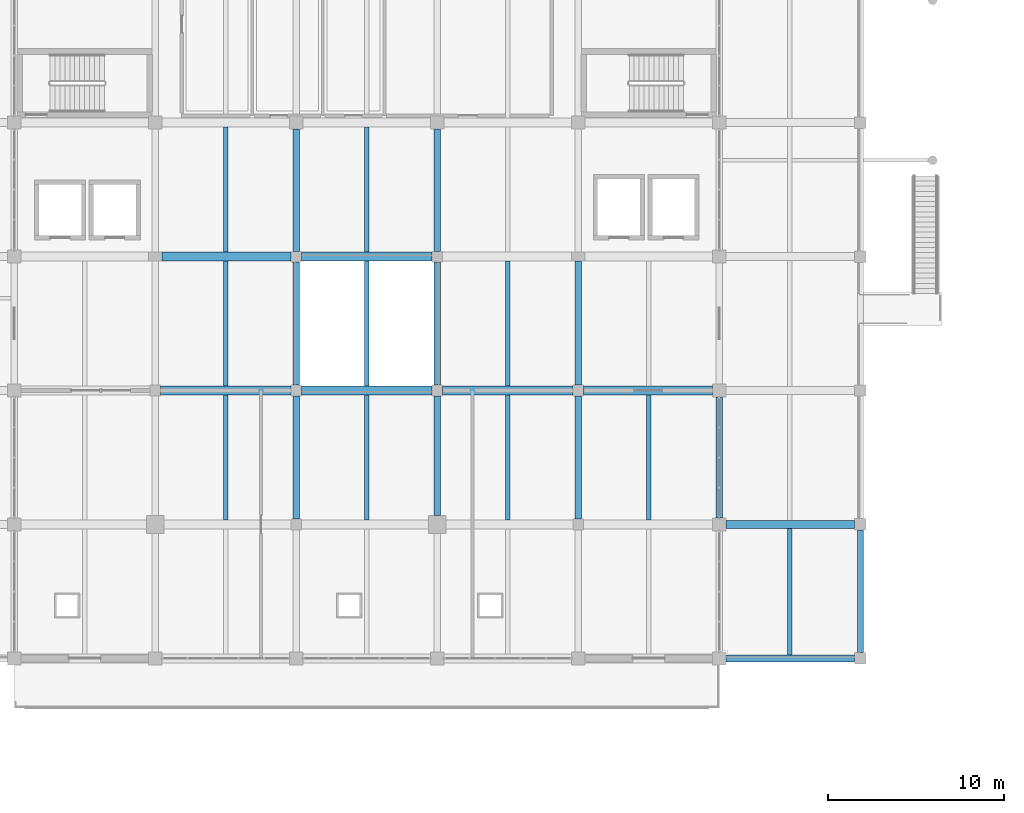
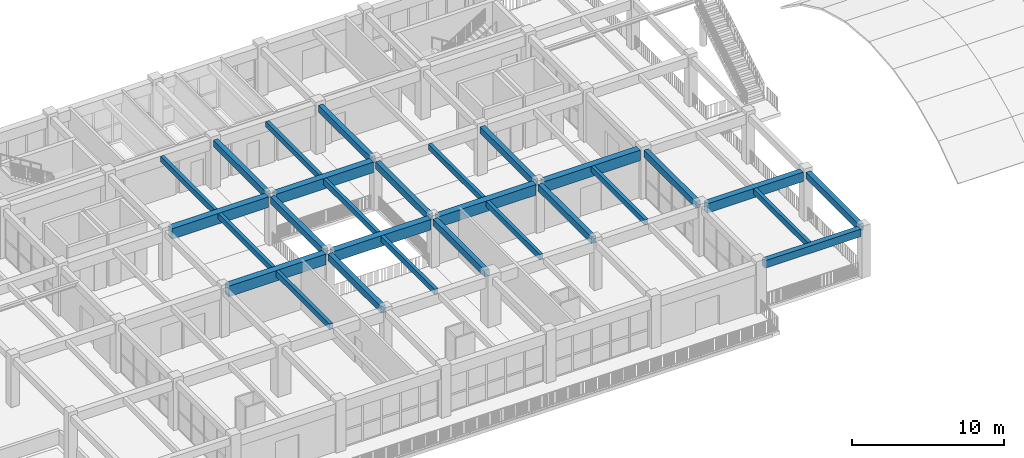
# One storey, part 20 of 63: 28 beams.
"""IFC4 building model written with IfcOpenShell, lengths in metres."""

from ifc_helpers import new_model, si_unit, direction, frame, origin, origin_2d, place, context, subcontext, project, spatial, rectangle, extrude, material, material_profile, profile_set, type_object, element, save


model = new_model("IFC4")

# Units and contexts
model_context = context("Model", 3, precision=1e-05, world=origin(), true_north=direction((0.0, 1.0)))
body_context = subcontext(model_context, "Body", "Model", "MODEL_VIEW")
ifc_project = project(units=[si_unit("LENGTHUNIT", "METRE"), si_unit("AREAUNIT", "SQUARE_METRE"), si_unit("VOLUMEUNIT", "CUBIC_METRE"), si_unit("PLANEANGLEUNIT", "RADIAN"), si_unit("MASSUNIT", "GRAM", prefix="KILO")], contexts=[model_context])

# Site, building, storey
site_placement = place(None, origin())
site = spatial("IfcSite", under=ifc_project, at=site_placement, CompositionType="ELEMENT")
building_placement = place(site_placement, origin())
building = spatial("IfcBuilding", under=site, at=building_placement, Name="Zantavel Square City Hall", CompositionType="ELEMENT")
storey_placement = place(building_placement, frame((0.0, 0.0, 14.699951171875)))
storey = spatial("IfcBuildingStorey", under=building, at=storey_placement, Name="L04", CompositionType="ELEMENT", Elevation=14.699951171875)

# Beams
ifc_material_1 = material(Name="Concrete C40/50", Category="concrete")
ifc_material_profile_1 = material_profile(ifc_material_1, rectangle(XDim=0.5, YDim=0.85009765625, at=origin_2d()), Name="RC 500x850")
ifc_profile_set_1 = profile_set([ifc_material_profile_1], Name="Concrete C40/50")
beam_type_1 = type_object("IfcBeamType", Name="Council Chamber Girder RC 500x850 C40/50", PredefinedType="BEAM", material=ifc_profile_set_1)
beam_1_placement = place(storey_placement, frame((72.300048828125, 45.60009765625, 3.4951171875), z_axis=(1.0, 0.0, 0.0), x_axis=(0.0, 1.0, 0.0)))
element("IfcBeam", 1, at=beam_1_placement, inside=storey, type_object=beam_type_1, Name="L04 Girder BMX-L04-0720-0456", PredefinedType="BEAM", context=body_context, shape_type="SweptSolid", body=[
    extrude(rectangle(XDim=0.5, YDim=0.85009765625, at=origin_2d()), origin(), (0.0, 0.0, 1.0), 7.39990234375),
])
beam_2_placement = place(storey_placement, frame((72.375, 53.199951171875, 3.4951171875), z_axis=(1.0, 0.0, 0.0), x_axis=(0.0, 1.0, 0.0)))
element("IfcBeam", 2, at=beam_2_placement, inside=storey, type_object=beam_type_1, Name="L04 Girder BMX-L04-0720-0532", PredefinedType="BEAM", context=body_context, shape_type="SweptSolid", body=[
    extrude(rectangle(XDim=0.5, YDim=0.85009765625, at=origin_2d()), origin(), (0.0, 0.0, 1.0), 7.324951171875),
])
for number, where, z_axis, x_axis, name in (
    (3, (80.300048828125, 45.60009765625, 3.4951171875), (1.0, 0.0, 0.0), (0.0, 1.0, 0.0), "L04 Girder BMX-L04-0800-0456"),
    (4, (80.300048828125, 53.199951171875, 3.4951171875), (1.0, 0.0, 0.0), (0.0, 1.0, 0.0), "L04 Girder BMX-L04-0800-0532"),
    (5, (88.300048828125, 45.60009765625, 3.4951171875), (1.0, 0.0, 0.0), (0.0, 1.0, 0.0), "L04 Girder BMX-L04-0880-0456"),
):
    element("IfcBeam", number, at=place(storey_placement, frame(where, z_axis=z_axis, x_axis=x_axis)), inside=storey, type_object=beam_type_1, Name=name, PredefinedType="BEAM", context=body_context, shape_type="SweptSolid", body=[
        extrude(rectangle(XDim=0.5, YDim=0.85009765625, at=origin_2d()), origin(), (0.0, 0.0, 1.0), 7.39990234375),
    ])
beam_3_placement = place(storey_placement, frame((96.300048828125, 45.60009765625, 3.4951171875), z_axis=(1.0, 0.0, 0.0), x_axis=(0.0, 1.0, 0.0)))
element("IfcBeam", 6, at=beam_3_placement, inside=storey, type_object=beam_type_1, Name="L04 Girder BMX-L04-0960-0456", PredefinedType="BEAM", context=body_context, shape_type="SweptSolid", body=[
    extrude(rectangle(XDim=0.5, YDim=0.85009765625, at=origin_2d()), origin(), (0.0, 0.0, 1.0), 7.324951171875),
])
ifc_material_2 = material(Name="Concrete C35/45", Category="concrete")
ifc_material_profile_2 = material_profile(ifc_material_2, rectangle(XDim=0.25, YDim=0.449951171875, at=origin_2d()), Name="RC 250x450")
ifc_profile_set_2 = profile_set([ifc_material_profile_2], Name="Concrete C35/45")
beam_type_2 = type_object("IfcBeamType", Name="Light Floor Joist RC 250x450 C35/45", PredefinedType="JOIST", material=ifc_profile_set_2)
beam_4_placement = place(storey_placement, frame((76.0, 38.25, 3.695068359375), z_axis=(0.0, 1.0, 0.0), x_axis=(-1.0, 0.0, 0.0)))
element("IfcBeam", 7, at=beam_4_placement, inside=storey, type_object=beam_type_2, Name="L04 Floor Joist JST-L04-0760-0380", PredefinedType="JOIST", context=body_context, shape_type="SweptSolid", body=[
    extrude(rectangle(XDim=0.25, YDim=0.449951171875, at=origin_2d()), origin(), (0.0, 0.0, 1.0), 7.10009765625),
])
beam_5_placement = place(storey_placement, frame((76.0, 45.85009765625, 3.695068359375), z_axis=(0.0, 1.0, 0.0), x_axis=(-1.0, 0.0, 0.0)))
element("IfcBeam", 8, at=beam_5_placement, inside=storey, type_object=beam_type_2, Name="L04 Floor Joist JST-L04-0760-0456", PredefinedType="JOIST", context=body_context, shape_type="SweptSolid", body=[
    extrude(rectangle(XDim=0.25, YDim=0.449951171875, at=origin_2d()), origin(), (0.0, 0.0, 1.0), 7.099853515625),
])
for number, where, z_axis, x_axis, name in (
    (9, (76.0, 53.449951171875, 3.695068359375), (0.0, 1.0, 0.0), (-1.0, 0.0, 0.0), "L04 Floor Joist JST-L04-0760-0532"),
    (10, (84.0, 38.25, 3.695068359375), (0.0, 1.0, 0.0), (-1.0, 0.0, 0.0), "L04 Floor Joist JST-L04-0840-0380"),
):
    element("IfcBeam", number, at=place(storey_placement, frame(where, z_axis=z_axis, x_axis=x_axis)), inside=storey, type_object=beam_type_2, Name=name, PredefinedType="JOIST", context=body_context, shape_type="SweptSolid", body=[
        extrude(rectangle(XDim=0.25, YDim=0.449951171875, at=origin_2d()), origin(), (0.0, 0.0, 1.0), 7.10009765625),
    ])
beam_6_placement = place(storey_placement, frame((84.0, 45.85009765625, 3.695068359375), z_axis=(0.0, 1.0, 0.0), x_axis=(-1.0, 0.0, 0.0)))
element("IfcBeam", 11, at=beam_6_placement, inside=storey, type_object=beam_type_2, Name="L04 Floor Joist JST-L04-0840-0456", PredefinedType="JOIST", context=body_context, shape_type="SweptSolid", body=[
    extrude(rectangle(XDim=0.25, YDim=0.449951171875, at=origin_2d()), origin(), (0.0, 0.0, 1.0), 7.099853515625),
])
for number, where, z_axis, x_axis, name in (
    (12, (84.0, 53.449951171875, 3.695068359375), (0.0, 1.0, 0.0), (-1.0, 0.0, 0.0), "L04 Floor Joist JST-L04-0840-0532"),
    (13, (92.0, 38.25, 3.695068359375), (0.0, 1.0, 0.0), (-1.0, 0.0, 0.0), "L04 Floor Joist JST-L04-0920-0380"),
):
    element("IfcBeam", number, at=place(storey_placement, frame(where, z_axis=z_axis, x_axis=x_axis)), inside=storey, type_object=beam_type_2, Name=name, PredefinedType="JOIST", context=body_context, shape_type="SweptSolid", body=[
        extrude(rectangle(XDim=0.25, YDim=0.449951171875, at=origin_2d()), origin(), (0.0, 0.0, 1.0), 7.10009765625),
    ])
beam_7_placement = place(storey_placement, frame((92.0, 45.85009765625, 3.695068359375), z_axis=(0.0, 1.0, 0.0), x_axis=(-1.0, 0.0, 0.0)))
element("IfcBeam", 14, at=beam_7_placement, inside=storey, type_object=beam_type_2, Name="L04 Floor Joist JST-L04-0920-0456", PredefinedType="JOIST", context=body_context, shape_type="SweptSolid", body=[
    extrude(rectangle(XDim=0.25, YDim=0.449951171875, at=origin_2d()), origin(), (0.0, 0.0, 1.0), 7.099853515625),
])
beam_8_placement = place(storey_placement, frame((100.0, 38.25, 3.695068359375), z_axis=(0.0, 1.0, 0.0), x_axis=(-1.0, 0.0, 0.0)))
element("IfcBeam", 15, at=beam_8_placement, inside=storey, type_object=beam_type_2, Name="L04 Floor Joist JST-L04-1000-0380", PredefinedType="JOIST", context=body_context, shape_type="SweptSolid", body=[
    extrude(rectangle(XDim=0.25, YDim=0.449951171875, at=origin_2d()), origin(), (0.0, 0.0, 1.0), 7.10009765625),
])
beam_9_placement = place(storey_placement, frame((108.0, 30.60009765625, 3.695068359375), z_axis=(0.0, 1.0, 0.0), x_axis=(-1.0, 0.0, 0.0)))
element("IfcBeam", 16, at=beam_9_placement, inside=storey, type_object=beam_type_2, Name="L04 Floor Joist JST-L04-1080-0304", PredefinedType="JOIST", context=body_context, shape_type="SweptSolid", body=[
    extrude(rectangle(XDim=0.25, YDim=0.449951171875, at=origin_2d()), origin(), (0.0, 0.0, 1.0), 7.1748046875),
])
ifc_material_profile_3 = material_profile(ifc_material_2, rectangle(XDim=0.39990234375, YDim=0.60009765625, at=origin_2d()), Name="RC 400x600")
ifc_profile_set_3 = profile_set([ifc_material_profile_3], Name="Concrete C35/45")
beam_type_3 = type_object("IfcBeamType", Name="Perimeter Spandrel RC 400x600 C35/45", PredefinedType="SPANDREL", material=ifc_profile_set_3)
beam_10_placement = place(storey_placement, frame((104.375, 30.39990234375, 3.6201171875), z_axis=(1.0, 0.0, 0.0), x_axis=(0.0, 1.0, 0.0)))
element("IfcBeam", 17, at=beam_10_placement, inside=storey, type_object=beam_type_3, Name="L04 Girder BMX-L04-1040-0304", PredefinedType="SPANDREL", context=body_context, shape_type="SweptSolid", body=[
    extrude(rectangle(XDim=0.39990234375, YDim=0.60009765625, at=origin_2d()), origin(), (0.0, 0.0, 1.0), 7.300048828125),
])
ifc_material_profile_4 = material_profile(ifc_material_2, rectangle(XDim=0.449951171875, YDim=0.75, at=origin_2d()), Name="RC 450x750")
ifc_profile_set_4 = profile_set([ifc_material_profile_4], Name="Concrete C35/45")
beam_type_4 = type_object("IfcBeamType", Name="Primary Girder RC 450x750 C35/45", PredefinedType="BEAM", material=ifc_profile_set_4)
beam_11_placement = place(storey_placement, frame((104.375, 38.0, 3.545166015625), z_axis=(1.0, 0.0, 0.0), x_axis=(0.0, 1.0, 0.0)))
element("IfcBeam", 18, at=beam_11_placement, inside=storey, type_object=beam_type_4, Name="L04 Girder BMX-L04-1040-0380", PredefinedType="BEAM", context=body_context, shape_type="SweptSolid", body=[
    extrude(rectangle(XDim=0.449951171875, YDim=0.75, at=origin_2d()), origin(), (0.0, 0.0, 1.0), 7.300048828125),
])
ifc_material_profile_5 = material_profile(ifc_material_2, rectangle(XDim=0.35009765625, YDim=0.550048828125, at=origin_2d()), Name="RC 350x550")
ifc_profile_set_5 = profile_set([ifc_material_profile_5], Name="Concrete C35/45")
beam_type_5 = type_object("IfcBeamType", Name="Secondary Beam RC 350x550 C35/45", PredefinedType="BEAM", material=ifc_profile_set_5)
for number, where, z_axis, x_axis, name in (
    (19, (80.0, 38.300048828125, 3.64501953125), (0.0, 1.0, 0.0), (-1.0, 0.0, 0.0), "L04 Beam BMY-L04-0800-0380"),
    (20, (80.0, 45.89990234375, 3.64501953125), (0.0, 1.0, 0.0), (-1.0, 0.0, 0.0), "L04 Beam BMY-L04-0800-0456"),
):
    element("IfcBeam", number, at=place(storey_placement, frame(where, z_axis=z_axis, x_axis=x_axis)), inside=storey, type_object=beam_type_5, Name=name, PredefinedType="BEAM", context=body_context, shape_type="SweptSolid", body=[
        extrude(rectangle(XDim=0.35009765625, YDim=0.550048828125, at=origin_2d()), origin(), (0.0, 0.0, 1.0), 7.0),
    ])
beam_12_placement = place(storey_placement, frame((80.0, 53.5, 3.64501953125), z_axis=(0.0, 1.0, 0.0), x_axis=(-1.0, 0.0, 0.0)))
element("IfcBeam", 21, at=beam_12_placement, inside=storey, type_object=beam_type_5, Name="L04 Beam BMY-L04-0800-0532", PredefinedType="BEAM", context=body_context, shape_type="SweptSolid", body=[
    extrude(rectangle(XDim=0.35009765625, YDim=0.550048828125, at=origin_2d()), origin(), (0.0, 0.0, 1.0), 6.925048828125),
])
beam_13_placement = place(storey_placement, frame((88.0, 38.5, 3.64501953125), z_axis=(0.0, 1.0, 0.0), x_axis=(-1.0, 0.0, 0.0)))
element("IfcBeam", 22, at=beam_13_placement, inside=storey, type_object=beam_type_5, Name="L04 Beam BMY-L04-0880-0380", PredefinedType="BEAM", context=body_context, shape_type="SweptSolid", body=[
    extrude(rectangle(XDim=0.35009765625, YDim=0.550048828125, at=origin_2d()), origin(), (0.0, 0.0, 1.0), 6.800048828125),
])
beam_14_placement = place(storey_placement, frame((88.0, 45.89990234375, 3.64501953125), z_axis=(0.0, 1.0, 0.0), x_axis=(-1.0, 0.0, 0.0)))
element("IfcBeam", 23, at=beam_14_placement, inside=storey, type_object=beam_type_5, Name="L04 Beam BMY-L04-0880-0456", PredefinedType="BEAM", context=body_context, shape_type="SweptSolid", body=[
    extrude(rectangle(XDim=0.35009765625, YDim=0.550048828125, at=origin_2d()), origin(), (0.0, 0.0, 1.0), 7.0),
])
beam_15_placement = place(storey_placement, frame((88.0, 53.5, 3.64501953125), z_axis=(0.0, 1.0, 0.0), x_axis=(-1.0, 0.0, 0.0)))
element("IfcBeam", 24, at=beam_15_placement, inside=storey, type_object=beam_type_5, Name="L04 Beam BMY-L04-0880-0532", PredefinedType="BEAM", context=body_context, shape_type="SweptSolid", body=[
    extrude(rectangle(XDim=0.35009765625, YDim=0.550048828125, at=origin_2d()), origin(), (0.0, 0.0, 1.0), 6.925048828125),
])
beam_16_placement = place(storey_placement, frame((96.0, 38.300048828125, 3.64501953125), z_axis=(0.0, 1.0, 0.0), x_axis=(-1.0, 0.0, 0.0)))
element("IfcBeam", 25, at=beam_16_placement, inside=storey, type_object=beam_type_5, Name="L04 Beam BMY-L04-0960-0380", PredefinedType="BEAM", context=body_context, shape_type="SweptSolid", body=[
    extrude(rectangle(XDim=0.35009765625, YDim=0.550048828125, at=origin_2d()), origin(), (0.0, 0.0, 1.0), 7.0),
])
beam_17_placement = place(storey_placement, frame((96.0, 45.89990234375, 3.64501953125), z_axis=(0.0, 1.0, 0.0), x_axis=(-1.0, 0.0, 0.0)))
element("IfcBeam", 26, at=beam_17_placement, inside=storey, type_object=beam_type_5, Name="L04 Beam BMY-L04-0960-0456", PredefinedType="BEAM", context=body_context, shape_type="SweptSolid", body=[
    extrude(rectangle(XDim=0.35009765625, YDim=0.550048828125, at=origin_2d()), origin(), (0.0, 0.0, 1.0), 7.050048828125),
])
beam_18_placement = place(storey_placement, frame((104.0, 38.375, 3.64501953125), z_axis=(0.0, 1.0, 0.0), x_axis=(-1.0, 0.0, 0.0)))
element("IfcBeam", 27, at=beam_18_placement, inside=storey, type_object=beam_type_5, Name="L04 Beam BMY-L04-1040-0380", PredefinedType="BEAM", context=body_context, shape_type="SweptSolid", body=[
    extrude(rectangle(XDim=0.35009765625, YDim=0.550048828125, at=origin_2d()), origin(), (0.0, 0.0, 1.0), 6.85009765625),
])
beam_19_placement = place(storey_placement, frame((112.0, 30.72509765625, 3.64501953125), z_axis=(0.0, 1.0, 0.0), x_axis=(-1.0, 0.0, 0.0)))
element("IfcBeam", 28, at=beam_19_placement, inside=storey, type_object=beam_type_5, Name="L04 Beam BMY-L04-1120-0304", PredefinedType="BEAM", context=body_context, shape_type="SweptSolid", body=[
    extrude(rectangle(XDim=0.35009765625, YDim=0.550048828125, at=origin_2d()), origin(), (0.0, 0.0, 1.0), 6.949951171875),
])

save(model, "model.ifc")
